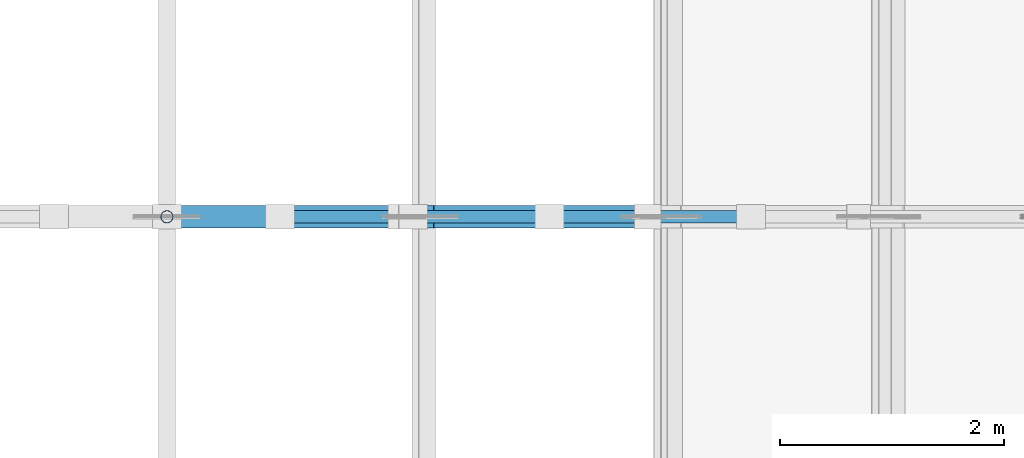
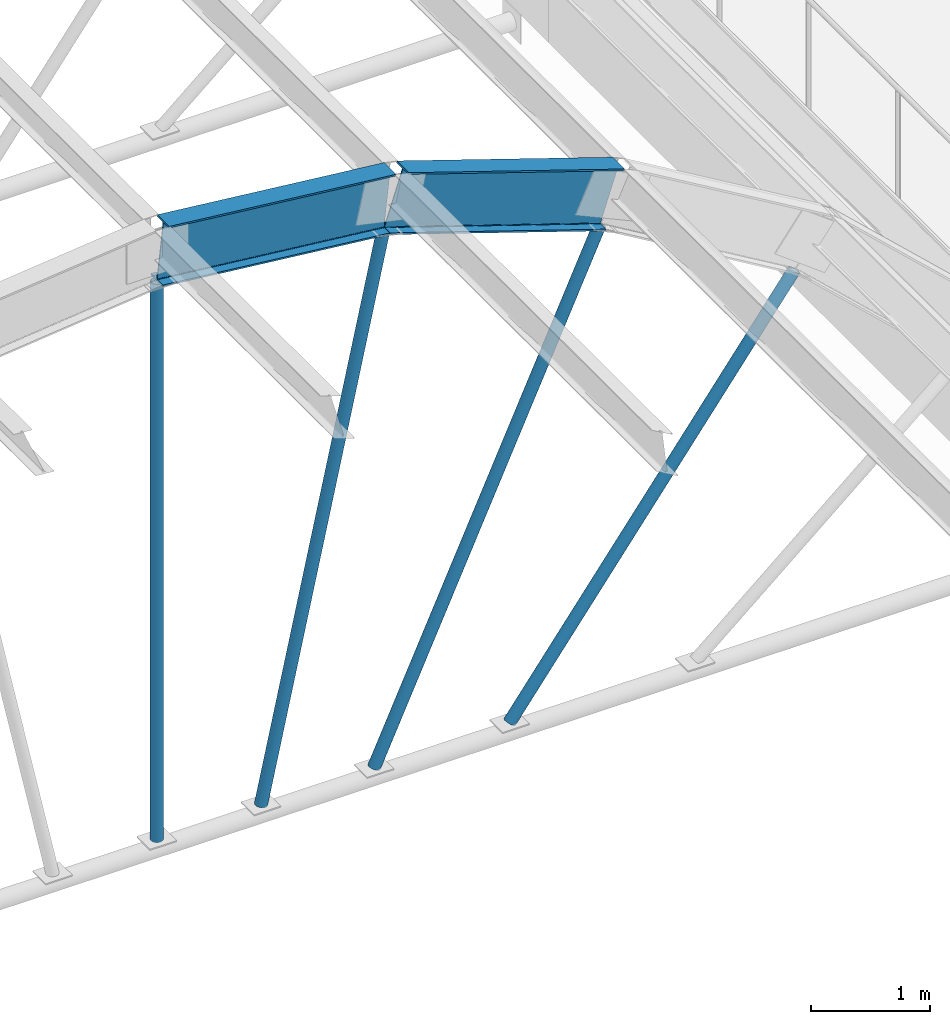
# One storey, part 14 of 79: 4 members, 2 beams.
"""IFC4 building model written with IfcOpenShell, lengths in metres."""

from ifc_helpers import new_model, si_unit, direction, frame, origin, origin_2d, place, context, subcontext, project, spatial, hollow_circle, i_section, extrude, material, material_profile, profile_set, type_object, element, save


model = new_model("IFC4")

# Units and contexts
model_context = context("Model", 3, precision=1e-05, world=origin(), true_north=direction((0.0, 1.0)))
body_context = subcontext(model_context, "Body", "Model", "MODEL_VIEW")
ifc_project = project(units=[si_unit("LENGTHUNIT", "METRE"), si_unit("AREAUNIT", "SQUARE_METRE"), si_unit("VOLUMEUNIT", "CUBIC_METRE"), si_unit("PLANEANGLEUNIT", "RADIAN"), si_unit("MASSUNIT", "GRAM", prefix="KILO")], contexts=[model_context])

# Site, building, storey
site_placement = place(None, origin())
site = spatial("IfcSite", under=ifc_project, at=site_placement, CompositionType="ELEMENT")
building_placement = place(site_placement, origin())
building = spatial("IfcBuilding", under=site, at=building_placement, Name="Guidao Yard Department Store", CompositionType="ELEMENT")
storey_placement = place(building_placement, frame((0.0, 0.0, 15.0)))
storey = spatial("IfcBuildingStorey", under=building, at=storey_placement, Name="L03", CompositionType="ELEMENT", Elevation=15.0)

# Members
ifc_material_1 = material(Name="Steel Q355B", Category="steel")
ifc_material_profile_1 = material_profile(ifc_material_1, hollow_circle(Radius=0.056884765625, WallThickness=0.006103515625, at=origin_2d()), Name="CHS 114x6")
ifc_profile_set_1 = profile_set([ifc_material_profile_1], Name="Steel Q355B")
member_type = type_object("IfcMemberType", Name="CHS 114x6", PredefinedType="BRACE", material=ifc_profile_set_1)
member_1_placement = place(storey_placement, frame((90.0, 63.0, -0.360107421875), z_axis=(0.0, 0.0, 1.0), x_axis=(1.0, 0.0, 0.0)))
element("IfcMember", 1, at=member_1_placement, inside=storey, type_object=member_type, Name="Roof web strut C03-05", PredefinedType="BRACE", context=body_context, shape_type="SweptSolid", body=[
    extrude(hollow_circle(Radius=0.056884765625, WallThickness=0.006103515625, at=origin_2d()), origin(), (0.0, 0.0, 1.0), 5.72705078125),
])
member_2_placement = place(storey_placement, frame((91.01123046875, 63.0, -0.360107421875), z_axis=(0.211899287995, 0.0, 0.977291508071), x_axis=(0.0, 1.0, 0.0)))
element("IfcMember", 2, at=member_2_placement, inside=storey, type_object=member_type, Name="Roof web strut C03-06", PredefinedType="BRACE", context=body_context, shape_type="SweptSolid", body=[
    extrude(hollow_circle(Radius=0.056884765625, WallThickness=0.006103515625, at=origin_2d()), origin(), (0.0, 0.0, 1.0), 5.619140625),
])
member_3_placement = place(storey_placement, frame((92.109130859375, 63.0, -0.360107421875), z_axis=(0.415142377249, 0.0, 0.909756454559), x_axis=(0.0, 1.0, 0.0)))
element("IfcMember", 3, at=member_3_placement, inside=storey, type_object=member_type, Name="Roof web strut C03-07", PredefinedType="BRACE", context=body_context, shape_type="SweptSolid", body=[
    extrude(hollow_circle(Radius=0.056884765625, WallThickness=0.006103515625, at=origin_2d()), origin(), (0.0, 0.0, 1.0), 5.271728515625),
])
member_4_placement = place(storey_placement, frame((93.424072265625, 63.0, -0.360107421875), z_axis=(0.600934318152, 0.0, 0.799298408147), x_axis=(0.0, 1.0, 0.0)))
element("IfcMember", 4, at=member_4_placement, inside=storey, type_object=member_type, Name="Roof web strut C03-08", PredefinedType="BRACE", context=body_context, shape_type="SweptSolid", body=[
    extrude(hollow_circle(Radius=0.056884765625, WallThickness=0.006103515625, at=origin_2d()), origin(), (0.0, 0.0, 1.0), 4.596923828125),
])

# Beams
ifc_material_2 = material(Name="Steel Q355B", Category="steel")
ifc_material_profile_2 = material_profile(ifc_material_2, i_section(OverallWidth=0.199951171875, OverallDepth=0.60009765625, WebThickness=0.010986328125, FlangeThickness=0.01708984375, FilletRadius=0.012939453125, at=origin_2d()), Name="HN 600x200x11x17")
ifc_profile_set_2 = profile_set([ifc_material_profile_2], Name="Steel Q355B")
beam_type = type_object("IfcBeamType", Name="HN 600x200x11x17", PredefinedType="BEAM", material=ifc_profile_set_2)
beam_1_placement = place(storey_placement, frame((90.031982421875, 63.0, 5.665283203125), z_axis=(0.994311656362, 0.0, -0.10650976492), x_axis=(0.0, 1.0, 0.0)))
element("IfcBeam", 5, at=beam_1_placement, inside=storey, type_object=beam_type, Name="Roof rib C03-06", PredefinedType="BEAM", context=body_context, shape_type="SweptSolid", body=[
    extrude(i_section(OverallWidth=0.199951171875, OverallDepth=0.60009765625, WebThickness=0.010986328125, FlangeThickness=0.01708984375, FilletRadius=0.012939453125, at=origin_2d()), origin(), (0.0, 0.0, 1.0), 2.21435546875),
])
beam_2_placement = place(storey_placement, frame((92.29638671875, 63.0, 5.416015625), z_axis=(0.949091595418, 0.0, -0.31500022779), x_axis=(0.0, 1.0, 0.0)))
element("IfcBeam", 6, at=beam_2_placement, inside=storey, type_object=beam_type, Name="Roof rib C03-07", PredefinedType="BEAM", context=body_context, shape_type="SweptSolid", body=[
    extrude(i_section(OverallWidth=0.199951171875, OverallDepth=0.60009765625, WebThickness=0.010986328125, FlangeThickness=0.01708984375, FilletRadius=0.012939453125, at=origin_2d()), origin(), (0.0, 0.0, 1.0), 2.2080078125),
])

save(model, "model.ifc")
